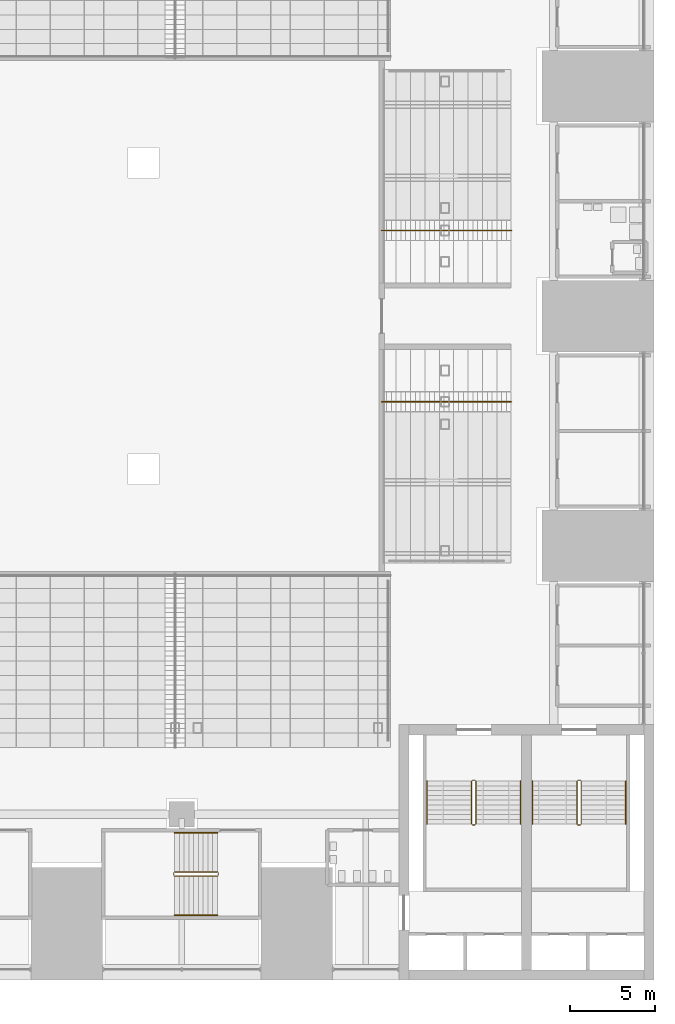
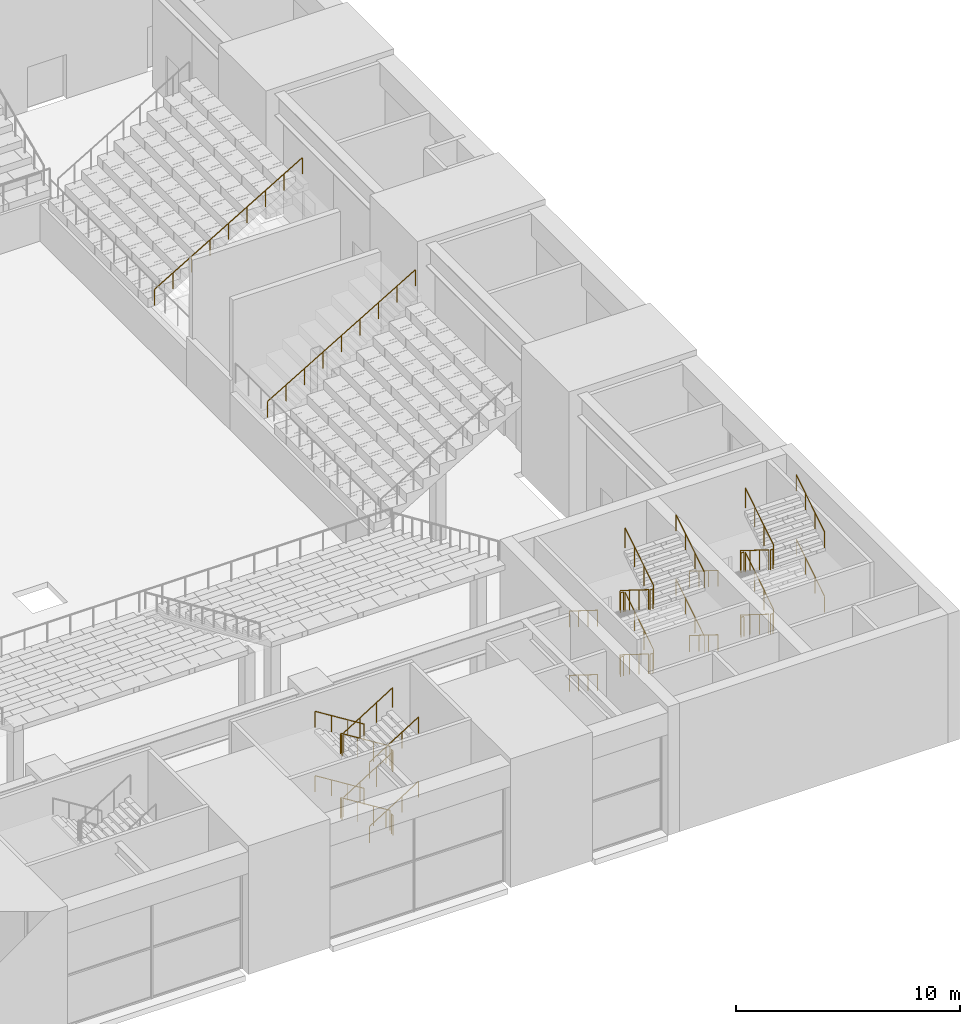
# One storey, part 58 of 62: 7 railings.
"""IFC4 building model written with IfcOpenShell, lengths in metres."""

from ifc_helpers import new_model, si_unit, direction, frame, origin, origin_2d, place, context, subcontext, project, spatial, circle, extrude, material, type_object, element, save


model = new_model("IFC4")

# Units and contexts
model_context = context("Model", 3, precision=1e-05, world=origin(), true_north=direction((0.0, 1.0)))
body_context = subcontext(model_context, "Body", "Model", "MODEL_VIEW")
ifc_project = project(units=[si_unit("LENGTHUNIT", "METRE"), si_unit("AREAUNIT", "SQUARE_METRE"), si_unit("VOLUMEUNIT", "CUBIC_METRE"), si_unit("PLANEANGLEUNIT", "RADIAN"), si_unit("MASSUNIT", "GRAM", prefix="KILO")], contexts=[model_context])

# Site, building, storey
site_placement = place(None, origin())
site = spatial("IfcSite", under=ifc_project, at=site_placement, CompositionType="ELEMENT")
building_placement = place(site_placement, origin())
building = spatial("IfcBuilding", under=site, at=building_placement, Name="Corbelhall Arena Tower", CompositionType="ELEMENT")
storey_placement = place(building_placement, frame((0.0, 0.0, 12.0)))
storey = spatial("IfcBuildingStorey", under=building, at=storey_placement, Name="L01", CompositionType="ELEMENT", Elevation=12.0)

# Railings
ifc_material = material(Name="Stainless steel A4", Category="steel")
railing_type_1 = type_object("IfcRailingType", Name="AR-HANDRAIL-AISLE", PredefinedType="HANDRAIL", material=ifc_material)
railing_1_placement = place(storey_placement, frame((32.0, -5.033203125, 2.5)))
element("IfcRailing", 1, at=railing_1_placement, inside=storey, type_object=railing_type_1, Name="Aisle handrails LE", PredefinedType="HANDRAIL", context=body_context, shape_type="SweptSolid", body=[
    extrude(circle(Radius=0.02392578125, at=origin_2d()), frame((0.0, 0.0, 0.8759765625), z_axis=(0.860621658551, 0.0, 0.50924489279), x_axis=(0.0, 1.0, 0.0)), (0.0, 0.0, 1.0), 8.836669921875),
    extrude(circle(Radius=0.02392578125, at=origin_2d()), frame((0.0, 10.06640625, 0.8759765625), z_axis=(0.860621658551, 0.0, 0.50924489279), x_axis=(0.0, 1.0, 0.0)), (0.0, 0.0, 1.0), 8.836669921875),
    extrude(circle(Radius=0.02099609375, at=origin_2d()), origin(), (0.0, 0.0, 1.0), 0.851806640625),
    extrude(circle(Radius=0.02099609375, at=origin_2d()), frame((0.95068359375, 0.0, 0.5625)), (0.0, 0.0, 1.0), 0.851806640625),
    extrude(circle(Radius=0.02099609375, at=origin_2d()), frame((1.9013671875, 0.0, 1.125)), (0.0, 0.0, 1.0), 0.851806640625),
    extrude(circle(Radius=0.02099609375, at=origin_2d()), frame((2.851806640625, 0.0, 1.6875)), (0.0, 0.0, 1.0), 0.851806640625),
    extrude(circle(Radius=0.02099609375, at=origin_2d()), frame((3.802490234375, 0.0, 2.25)), (0.0, 0.0, 1.0), 0.851806640625),
    extrude(circle(Radius=0.02099609375, at=origin_2d()), frame((4.753173828125, 0.0, 2.8125)), (0.0, 0.0, 1.0), 0.851806640625),
    extrude(circle(Radius=0.02099609375, at=origin_2d()), frame((5.70361328125, 0.0, 3.375)), (0.0, 0.0, 1.0), 0.851806640625),
    extrude(circle(Radius=0.02099609375, at=origin_2d()), frame((6.654296875, 0.0, 3.9375)), (0.0, 0.0, 1.0), 0.851806640625),
    extrude(circle(Radius=0.02099609375, at=origin_2d()), frame((7.60498046875, 0.0, 4.5)), (0.0, 0.0, 1.0), 0.851806640625),
    extrude(circle(Radius=0.02099609375, at=origin_2d()), frame((0.0, 10.06640625, 0.0)), (0.0, 0.0, 1.0), 0.851806640625),
    extrude(circle(Radius=0.02099609375, at=origin_2d()), frame((0.95068359375, 10.06640625, 0.5625)), (0.0, 0.0, 1.0), 0.851806640625),
    extrude(circle(Radius=0.02099609375, at=origin_2d()), frame((1.9013671875, 10.06640625, 1.125)), (0.0, 0.0, 1.0), 0.851806640625),
    extrude(circle(Radius=0.02099609375, at=origin_2d()), frame((2.851806640625, 10.06640625, 1.6875)), (0.0, 0.0, 1.0), 0.851806640625),
    extrude(circle(Radius=0.02099609375, at=origin_2d()), frame((3.802490234375, 10.06640625, 2.25)), (0.0, 0.0, 1.0), 0.851806640625),
    extrude(circle(Radius=0.02099609375, at=origin_2d()), frame((4.753173828125, 10.06640625, 2.8125)), (0.0, 0.0, 1.0), 0.851806640625),
    extrude(circle(Radius=0.02099609375, at=origin_2d()), frame((5.70361328125, 10.06640625, 3.375)), (0.0, 0.0, 1.0), 0.851806640625),
    extrude(circle(Radius=0.02099609375, at=origin_2d()), frame((6.654296875, 10.06640625, 3.9375)), (0.0, 0.0, 1.0), 0.851806640625),
    extrude(circle(Radius=0.02099609375, at=origin_2d()), frame((7.60498046875, 10.06640625, 4.5)), (0.0, 0.0, 1.0), 0.851806640625),
])
railing_type_2 = type_object("IfcRailingType", Name="AR-STAIR-GUARD", PredefinedType="GUARDRAIL", material=ifc_material)
railing_2_placement = place(storey_placement, frame((22.35009765625, -32.64990234375, 0.175048828125)))
element("IfcRailing", 2, at=railing_2_placement, inside=storey, type_object=railing_type_2, Name="L01 AS16 stair guards", PredefinedType="GUARDRAIL", context=body_context, shape_type="SweptSolid", body=[
    extrude(circle(Radius=0.02392578125, at=origin_2d()), frame((0.0, 0.0, 1.076171875), z_axis=(-0.848007534815, 0.0, 0.529984170421), x_axis=(0.0, -1.0, 0.0)), (0.0, 0.0, 1.0), 2.9716796875),
    extrude(circle(Radius=0.02392578125, at=origin_2d()), frame((-2.570068359375, -0.050048828125, 2.65087890625), z_axis=(0.0, -1.0, 0.0), x_axis=(1.0, 0.0, 0.0)), (0.0, 0.0, 1.0), 0.150146484375),
    extrude(circle(Radius=0.02392578125, at=origin_2d()), frame((-2.52001953125, -0.25, 2.826171875), z_axis=(0.848007534815, 0.0, 0.529984170421), x_axis=(0.0, 1.0, 0.0)), (0.0, 0.0, 1.0), 2.9716796875),
    extrude(circle(Radius=0.02392578125, at=origin_2d()), frame((0.0498046875, -0.050048828125, 4.40087890625), z_axis=(0.0, -1.0, 0.0), x_axis=(1.0, 0.0, 0.0)), (0.0, 0.0, 1.0), 0.150146484375),
    extrude(circle(Radius=0.02392578125, at=origin_2d()), frame((0.0, 0.0, 4.576171875), z_axis=(-0.848007534815, 0.0, 0.529984170421), x_axis=(0.0, -1.0, 0.0)), (0.0, 0.0, 1.0), 2.9716796875),
    extrude(circle(Radius=0.02392578125, at=origin_2d()), frame((-2.570068359375, -0.050048828125, 6.15087890625), z_axis=(0.0, -1.0, 0.0), x_axis=(1.0, 0.0, 0.0)), (0.0, 0.0, 1.0), 0.150146484375),
    extrude(circle(Radius=0.02392578125, at=origin_2d()), frame((-2.52001953125, -0.25, 6.326171875), z_axis=(0.848007534815, 0.0, 0.529984170421), x_axis=(0.0, 1.0, 0.0)), (0.0, 0.0, 1.0), 2.9716796875),
    extrude(circle(Radius=0.02392578125, at=origin_2d()), frame((0.0498046875, -0.050048828125, 0.90087890625), z_axis=(0.0, -1.0, 0.0), x_axis=(1.0, 0.0, 0.0)), (0.0, 0.0, 1.0), 0.150146484375),
    extrude(circle(Radius=0.02099609375, at=origin_2d()), origin(), (0.0, 0.0, 1.0), 1.052001953125),
    extrude(circle(Radius=0.02099609375, at=origin_2d()), frame((-0.840087890625, 0.0, 0.52490234375)), (0.0, 0.0, 1.0), 1.052001953125),
    extrude(circle(Radius=0.02099609375, at=origin_2d()), frame((-1.679931640625, 0.0, 1.050048828125)), (0.0, 0.0, 1.0), 1.052001953125),
    extrude(circle(Radius=0.02099609375, at=origin_2d()), frame((-2.52001953125, 0.0, 1.574951171875)), (0.0, 0.0, 1.0), 1.052001953125),
    extrude(circle(Radius=0.02099609375, at=origin_2d()), frame((-2.570068359375, -0.050048828125, 1.574951171875)), (0.0, 0.0, 1.0), 1.052001953125),
    extrude(circle(Radius=0.02099609375, at=origin_2d()), frame((-2.570068359375, -0.2001953125, 1.574951171875)), (0.0, 0.0, 1.0), 1.052001953125),
    extrude(circle(Radius=0.02099609375, at=origin_2d()), frame((-2.52001953125, -0.25, 1.75)), (0.0, 0.0, 1.0), 1.052001953125),
    extrude(circle(Radius=0.02099609375, at=origin_2d()), frame((-1.679931640625, -0.25, 2.27490234375)), (0.0, 0.0, 1.0), 1.052001953125),
    extrude(circle(Radius=0.02099609375, at=origin_2d()), frame((-0.840087890625, -0.25, 2.800048828125)), (0.0, 0.0, 1.0), 1.052001953125),
    extrude(circle(Radius=0.02099609375, at=origin_2d()), frame((0.0, -0.25, 3.324951171875)), (0.0, 0.0, 1.0), 1.052001953125),
    extrude(circle(Radius=0.02099609375, at=origin_2d()), frame((0.0498046875, -0.050048828125, 3.324951171875)), (0.0, 0.0, 1.0), 1.052001953125),
    extrude(circle(Radius=0.02099609375, at=origin_2d()), frame((0.0498046875, -0.2001953125, 3.324951171875)), (0.0, 0.0, 1.0), 1.052001953125),
    extrude(circle(Radius=0.02099609375, at=origin_2d()), frame((0.0, 0.0, 3.5)), (0.0, 0.0, 1.0), 1.052001953125),
    extrude(circle(Radius=0.02099609375, at=origin_2d()), frame((-0.840087890625, 0.0, 4.02490234375)), (0.0, 0.0, 1.0), 1.052001953125),
    extrude(circle(Radius=0.02099609375, at=origin_2d()), frame((-1.679931640625, 0.0, 4.550048828125)), (0.0, 0.0, 1.0), 1.052001953125),
    extrude(circle(Radius=0.02099609375, at=origin_2d()), frame((-2.52001953125, 0.0, 5.074951171875)), (0.0, 0.0, 1.0), 1.052001953125),
    extrude(circle(Radius=0.02099609375, at=origin_2d()), frame((-2.570068359375, -0.050048828125, 5.074951171875)), (0.0, 0.0, 1.0), 1.052001953125),
    extrude(circle(Radius=0.02099609375, at=origin_2d()), frame((-2.570068359375, -0.2001953125, 5.074951171875)), (0.0, 0.0, 1.0), 1.052001953125),
    extrude(circle(Radius=0.02099609375, at=origin_2d()), frame((-2.52001953125, -0.25, 5.25)), (0.0, 0.0, 1.0), 1.052001953125),
    extrude(circle(Radius=0.02099609375, at=origin_2d()), frame((-1.679931640625, -0.25, 5.77490234375)), (0.0, 0.0, 1.0), 1.052001953125),
    extrude(circle(Radius=0.02099609375, at=origin_2d()), frame((-0.840087890625, -0.25, 6.300048828125)), (0.0, 0.0, 1.0), 1.052001953125),
    extrude(circle(Radius=0.02099609375, at=origin_2d()), frame((0.0, -0.25, 6.824951171875)), (0.0, 0.0, 1.0), 1.052001953125),
    extrude(circle(Radius=0.02099609375, at=origin_2d()), frame((0.0498046875, -0.050048828125, -0.175048828125)), (0.0, 0.0, 1.0), 1.052001953125),
    extrude(circle(Radius=0.02099609375, at=origin_2d()), frame((0.0498046875, -0.2001953125, -0.175048828125)), (0.0, 0.0, 1.0), 1.052001953125),
])
railing_3_placement = place(storey_placement, frame((37.280029296875, -27.320068359375, 0.175048828125)))
element("IfcRailing", 3, at=railing_3_placement, inside=storey, type_object=railing_type_2, Name="L01 AS5 stair guards", PredefinedType="GUARDRAIL", context=body_context, shape_type="SweptSolid", body=[
    extrude(circle(Radius=0.02392578125, at=origin_2d()), frame((0.0, 0.0, 1.076171875), z_axis=(0.0, -0.848007534815, 0.529984170421), x_axis=(1.0, 0.0, 0.0)), (0.0, 0.0, 1.0), 2.9716796875),
    extrude(circle(Radius=0.02392578125, at=origin_2d()), frame((0.050048828125, -2.56982421875, 2.65087890625), z_axis=(1.0, 0.0, 0.0), x_axis=(0.0, 1.0, 0.0)), (0.0, 0.0, 1.0), 0.14990234375),
    extrude(circle(Radius=0.02392578125, at=origin_2d()), frame((0.25, -2.52001953125, 2.826171875), z_axis=(0.0, 0.848007534815, 0.529984170421), x_axis=(-1.0, 0.0, 0.0)), (0.0, 0.0, 1.0), 2.9716796875),
    extrude(circle(Radius=0.02392578125, at=origin_2d()), frame((0.050048828125, 0.050048828125, 4.40087890625), z_axis=(1.0, 0.0, 0.0), x_axis=(0.0, 1.0, 0.0)), (0.0, 0.0, 1.0), 0.14990234375),
    extrude(circle(Radius=0.02392578125, at=origin_2d()), frame((0.0, 0.0, 4.576171875), z_axis=(0.0, -0.848007534815, 0.529984170421), x_axis=(1.0, 0.0, 0.0)), (0.0, 0.0, 1.0), 2.9716796875),
    extrude(circle(Radius=0.02392578125, at=origin_2d()), frame((0.050048828125, -2.56982421875, 6.15087890625), z_axis=(1.0, 0.0, 0.0), x_axis=(0.0, 1.0, 0.0)), (0.0, 0.0, 1.0), 0.14990234375),
    extrude(circle(Radius=0.02392578125, at=origin_2d()), frame((0.25, -2.52001953125, 6.326171875), z_axis=(0.0, 0.848007534815, 0.529984170421), x_axis=(-1.0, 0.0, 0.0)), (0.0, 0.0, 1.0), 2.9716796875),
    extrude(circle(Radius=0.02392578125, at=origin_2d()), frame((0.050048828125, 0.050048828125, 0.90087890625), z_axis=(1.0, 0.0, 0.0), x_axis=(0.0, 1.0, 0.0)), (0.0, 0.0, 1.0), 0.14990234375),
    extrude(circle(Radius=0.02099609375, at=origin_2d()), origin(), (0.0, 0.0, 1.0), 1.052001953125),
    extrude(circle(Radius=0.02099609375, at=origin_2d()), frame((0.0, -0.840087890625, 0.52490234375)), (0.0, 0.0, 1.0), 1.052001953125),
    extrude(circle(Radius=0.02099609375, at=origin_2d()), frame((0.0, -1.679931640625, 1.050048828125)), (0.0, 0.0, 1.0), 1.052001953125),
    extrude(circle(Radius=0.02099609375, at=origin_2d()), frame((0.0, -2.52001953125, 1.574951171875)), (0.0, 0.0, 1.0), 1.052001953125),
    extrude(circle(Radius=0.02099609375, at=origin_2d()), frame((0.050048828125, -2.56982421875, 1.574951171875)), (0.0, 0.0, 1.0), 1.052001953125),
    extrude(circle(Radius=0.02099609375, at=origin_2d()), frame((0.199951171875, -2.56982421875, 1.574951171875)), (0.0, 0.0, 1.0), 1.052001953125),
    extrude(circle(Radius=0.02099609375, at=origin_2d()), frame((0.25, -2.52001953125, 1.75)), (0.0, 0.0, 1.0), 1.052001953125),
    extrude(circle(Radius=0.02099609375, at=origin_2d()), frame((0.25, -1.679931640625, 2.27490234375)), (0.0, 0.0, 1.0), 1.052001953125),
    extrude(circle(Radius=0.02099609375, at=origin_2d()), frame((0.25, -0.840087890625, 2.800048828125)), (0.0, 0.0, 1.0), 1.052001953125),
    extrude(circle(Radius=0.02099609375, at=origin_2d()), frame((0.25, 0.0, 3.324951171875)), (0.0, 0.0, 1.0), 1.052001953125),
    extrude(circle(Radius=0.02099609375, at=origin_2d()), frame((0.050048828125, 0.050048828125, 3.324951171875)), (0.0, 0.0, 1.0), 1.052001953125),
    extrude(circle(Radius=0.02099609375, at=origin_2d()), frame((0.199951171875, 0.050048828125, 3.324951171875)), (0.0, 0.0, 1.0), 1.052001953125),
    extrude(circle(Radius=0.02099609375, at=origin_2d()), frame((0.0, 0.0, 3.5)), (0.0, 0.0, 1.0), 1.052001953125),
    extrude(circle(Radius=0.02099609375, at=origin_2d()), frame((0.0, -0.840087890625, 4.02490234375)), (0.0, 0.0, 1.0), 1.052001953125),
    extrude(circle(Radius=0.02099609375, at=origin_2d()), frame((0.0, -1.679931640625, 4.550048828125)), (0.0, 0.0, 1.0), 1.052001953125),
    extrude(circle(Radius=0.02099609375, at=origin_2d()), frame((0.0, -2.52001953125, 5.074951171875)), (0.0, 0.0, 1.0), 1.052001953125),
    extrude(circle(Radius=0.02099609375, at=origin_2d()), frame((0.050048828125, -2.56982421875, 5.074951171875)), (0.0, 0.0, 1.0), 1.052001953125),
    extrude(circle(Radius=0.02099609375, at=origin_2d()), frame((0.199951171875, -2.56982421875, 5.074951171875)), (0.0, 0.0, 1.0), 1.052001953125),
    extrude(circle(Radius=0.02099609375, at=origin_2d()), frame((0.25, -2.52001953125, 5.25)), (0.0, 0.0, 1.0), 1.052001953125),
    extrude(circle(Radius=0.02099609375, at=origin_2d()), frame((0.25, -1.679931640625, 5.77490234375)), (0.0, 0.0, 1.0), 1.052001953125),
    extrude(circle(Radius=0.02099609375, at=origin_2d()), frame((0.25, -0.840087890625, 6.300048828125)), (0.0, 0.0, 1.0), 1.052001953125),
    extrude(circle(Radius=0.02099609375, at=origin_2d()), frame((0.25, 0.0, 6.824951171875)), (0.0, 0.0, 1.0), 1.052001953125),
    extrude(circle(Radius=0.02099609375, at=origin_2d()), frame((0.050048828125, 0.050048828125, -0.175048828125)), (0.0, 0.0, 1.0), 1.052001953125),
    extrude(circle(Radius=0.02099609375, at=origin_2d()), frame((0.199951171875, 0.050048828125, -0.175048828125)), (0.0, 0.0, 1.0), 1.052001953125),
])
railing_4_placement = place(storey_placement, frame((43.469970703125, -27.320068359375, 0.175048828125)))
element("IfcRailing", 4, at=railing_4_placement, inside=storey, type_object=railing_type_2, Name="L01 AS6 stair guards", PredefinedType="GUARDRAIL", context=body_context, shape_type="SweptSolid", body=[
    extrude(circle(Radius=0.02392578125, at=origin_2d()), frame((0.0, 0.0, 1.076171875), z_axis=(0.0, -0.848007534815, 0.529984170421), x_axis=(1.0, 0.0, 0.0)), (0.0, 0.0, 1.0), 2.9716796875),
    extrude(circle(Radius=0.02392578125, at=origin_2d()), frame((0.050048828125, -2.56982421875, 2.65087890625), z_axis=(1.0, 0.0, 0.0), x_axis=(0.0, 1.0, 0.0)), (0.0, 0.0, 1.0), 0.14990234375),
    extrude(circle(Radius=0.02392578125, at=origin_2d()), frame((0.25, -2.52001953125, 2.826171875), z_axis=(0.0, 0.848007534815, 0.529984170421), x_axis=(-1.0, 0.0, 0.0)), (0.0, 0.0, 1.0), 2.9716796875),
    extrude(circle(Radius=0.02392578125, at=origin_2d()), frame((0.050048828125, 0.050048828125, 4.40087890625), z_axis=(1.0, 0.0, 0.0), x_axis=(0.0, 1.0, 0.0)), (0.0, 0.0, 1.0), 0.14990234375),
    extrude(circle(Radius=0.02392578125, at=origin_2d()), frame((0.0, 0.0, 4.576171875), z_axis=(0.0, -0.848007534815, 0.529984170421), x_axis=(1.0, 0.0, 0.0)), (0.0, 0.0, 1.0), 2.9716796875),
    extrude(circle(Radius=0.02392578125, at=origin_2d()), frame((0.050048828125, -2.56982421875, 6.15087890625), z_axis=(1.0, 0.0, 0.0), x_axis=(0.0, 1.0, 0.0)), (0.0, 0.0, 1.0), 0.14990234375),
    extrude(circle(Radius=0.02392578125, at=origin_2d()), frame((0.25, -2.52001953125, 6.326171875), z_axis=(0.0, 0.848007534815, 0.529984170421), x_axis=(-1.0, 0.0, 0.0)), (0.0, 0.0, 1.0), 2.9716796875),
    extrude(circle(Radius=0.02392578125, at=origin_2d()), frame((0.050048828125, 0.050048828125, 0.90087890625), z_axis=(1.0, 0.0, 0.0), x_axis=(0.0, 1.0, 0.0)), (0.0, 0.0, 1.0), 0.14990234375),
    extrude(circle(Radius=0.02099609375, at=origin_2d()), origin(), (0.0, 0.0, 1.0), 1.052001953125),
    extrude(circle(Radius=0.02099609375, at=origin_2d()), frame((0.0, -0.840087890625, 0.52490234375)), (0.0, 0.0, 1.0), 1.052001953125),
    extrude(circle(Radius=0.02099609375, at=origin_2d()), frame((0.0, -1.679931640625, 1.050048828125)), (0.0, 0.0, 1.0), 1.052001953125),
    extrude(circle(Radius=0.02099609375, at=origin_2d()), frame((0.0, -2.52001953125, 1.574951171875)), (0.0, 0.0, 1.0), 1.052001953125),
    extrude(circle(Radius=0.02099609375, at=origin_2d()), frame((0.050048828125, -2.56982421875, 1.574951171875)), (0.0, 0.0, 1.0), 1.052001953125),
    extrude(circle(Radius=0.02099609375, at=origin_2d()), frame((0.199951171875, -2.56982421875, 1.574951171875)), (0.0, 0.0, 1.0), 1.052001953125),
    extrude(circle(Radius=0.02099609375, at=origin_2d()), frame((0.25, -2.52001953125, 1.75)), (0.0, 0.0, 1.0), 1.052001953125),
    extrude(circle(Radius=0.02099609375, at=origin_2d()), frame((0.25, -1.679931640625, 2.27490234375)), (0.0, 0.0, 1.0), 1.052001953125),
    extrude(circle(Radius=0.02099609375, at=origin_2d()), frame((0.25, -0.840087890625, 2.800048828125)), (0.0, 0.0, 1.0), 1.052001953125),
    extrude(circle(Radius=0.02099609375, at=origin_2d()), frame((0.25, 0.0, 3.324951171875)), (0.0, 0.0, 1.0), 1.052001953125),
    extrude(circle(Radius=0.02099609375, at=origin_2d()), frame((0.050048828125, 0.050048828125, 3.324951171875)), (0.0, 0.0, 1.0), 1.052001953125),
    extrude(circle(Radius=0.02099609375, at=origin_2d()), frame((0.199951171875, 0.050048828125, 3.324951171875)), (0.0, 0.0, 1.0), 1.052001953125),
    extrude(circle(Radius=0.02099609375, at=origin_2d()), frame((0.0, 0.0, 3.5)), (0.0, 0.0, 1.0), 1.052001953125),
    extrude(circle(Radius=0.02099609375, at=origin_2d()), frame((0.0, -0.840087890625, 4.02490234375)), (0.0, 0.0, 1.0), 1.052001953125),
    extrude(circle(Radius=0.02099609375, at=origin_2d()), frame((0.0, -1.679931640625, 4.550048828125)), (0.0, 0.0, 1.0), 1.052001953125),
    extrude(circle(Radius=0.02099609375, at=origin_2d()), frame((0.0, -2.52001953125, 5.074951171875)), (0.0, 0.0, 1.0), 1.052001953125),
    extrude(circle(Radius=0.02099609375, at=origin_2d()), frame((0.050048828125, -2.56982421875, 5.074951171875)), (0.0, 0.0, 1.0), 1.052001953125),
    extrude(circle(Radius=0.02099609375, at=origin_2d()), frame((0.199951171875, -2.56982421875, 5.074951171875)), (0.0, 0.0, 1.0), 1.052001953125),
    extrude(circle(Radius=0.02099609375, at=origin_2d()), frame((0.25, -2.52001953125, 5.25)), (0.0, 0.0, 1.0), 1.052001953125),
    extrude(circle(Radius=0.02099609375, at=origin_2d()), frame((0.25, -1.679931640625, 5.77490234375)), (0.0, 0.0, 1.0), 1.052001953125),
    extrude(circle(Radius=0.02099609375, at=origin_2d()), frame((0.25, -0.840087890625, 6.300048828125)), (0.0, 0.0, 1.0), 1.052001953125),
    extrude(circle(Radius=0.02099609375, at=origin_2d()), frame((0.25, 0.0, 6.824951171875)), (0.0, 0.0, 1.0), 1.052001953125),
    extrude(circle(Radius=0.02099609375, at=origin_2d()), frame((0.050048828125, 0.050048828125, -0.175048828125)), (0.0, 0.0, 1.0), 1.052001953125),
    extrude(circle(Radius=0.02099609375, at=origin_2d()), frame((0.199951171875, 0.050048828125, -0.175048828125)), (0.0, 0.0, 1.0), 1.052001953125),
])
railing_type_3 = type_object("IfcRailingType", Name="AR-STAIR-HANDRAIL", PredefinedType="HANDRAIL", material=ifc_material)
railing_5_placement = place(storey_placement, frame((22.35009765625, -30.35009765625, 0.175048828125)))
element("IfcRailing", 5, at=railing_5_placement, inside=storey, type_object=railing_type_3, Name="L01 AS16 stair handrails", PredefinedType="HANDRAIL", context=body_context, shape_type="SweptSolid", body=[
    extrude(circle(Radius=0.02392578125, at=origin_2d()), frame((0.0, 0.0, 0.8759765625), z_axis=(-0.848007534815, 0.0, 0.529984170421), x_axis=(0.0, -1.0, 0.0)), (0.0, 0.0, 1.0), 2.9716796875),
    extrude(circle(Radius=0.02392578125, at=origin_2d()), frame((-2.52001953125, -4.849853515625, 2.6259765625), z_axis=(0.848007534815, 0.0, 0.529984170421), x_axis=(0.0, 1.0, 0.0)), (0.0, 0.0, 1.0), 2.9716796875),
    extrude(circle(Radius=0.02392578125, at=origin_2d()), frame((0.0, 0.0, 4.3759765625), z_axis=(-0.848007534815, 0.0, 0.529984170421), x_axis=(0.0, -1.0, 0.0)), (0.0, 0.0, 1.0), 2.9716796875),
    extrude(circle(Radius=0.02392578125, at=origin_2d()), frame((-2.52001953125, -4.849853515625, 6.1259765625), z_axis=(0.848007534815, 0.0, 0.529984170421), x_axis=(0.0, 1.0, 0.0)), (0.0, 0.0, 1.0), 2.9716796875),
    extrude(circle(Radius=0.02099609375, at=origin_2d()), origin(), (0.0, 0.0, 1.0), 0.851806640625),
    extrude(circle(Radius=0.02099609375, at=origin_2d()), frame((-0.840087890625, 0.0, 0.52490234375)), (0.0, 0.0, 1.0), 0.851806640625),
    extrude(circle(Radius=0.02099609375, at=origin_2d()), frame((-1.679931640625, 0.0, 1.050048828125)), (0.0, 0.0, 1.0), 0.851806640625),
    extrude(circle(Radius=0.02099609375, at=origin_2d()), frame((-2.52001953125, 0.0, 1.574951171875)), (0.0, 0.0, 1.0), 0.851806640625),
    extrude(circle(Radius=0.02099609375, at=origin_2d()), frame((-2.52001953125, -4.849853515625, 1.75)), (0.0, 0.0, 1.0), 0.851806640625),
    extrude(circle(Radius=0.02099609375, at=origin_2d()), frame((-1.679931640625, -4.849853515625, 2.27490234375)), (0.0, 0.0, 1.0), 0.851806640625),
    extrude(circle(Radius=0.02099609375, at=origin_2d()), frame((-0.840087890625, -4.849853515625, 2.800048828125)), (0.0, 0.0, 1.0), 0.851806640625),
    extrude(circle(Radius=0.02099609375, at=origin_2d()), frame((0.0, -4.849853515625, 3.324951171875)), (0.0, 0.0, 1.0), 0.851806640625),
    extrude(circle(Radius=0.02099609375, at=origin_2d()), frame((0.0, 0.0, 3.5)), (0.0, 0.0, 1.0), 0.851806640625),
    extrude(circle(Radius=0.02099609375, at=origin_2d()), frame((-0.840087890625, 0.0, 4.02490234375)), (0.0, 0.0, 1.0), 0.851806640625),
    extrude(circle(Radius=0.02099609375, at=origin_2d()), frame((-1.679931640625, 0.0, 4.550048828125)), (0.0, 0.0, 1.0), 0.851806640625),
    extrude(circle(Radius=0.02099609375, at=origin_2d()), frame((-2.52001953125, 0.0, 5.074951171875)), (0.0, 0.0, 1.0), 0.851806640625),
    extrude(circle(Radius=0.02099609375, at=origin_2d()), frame((-2.52001953125, -4.849853515625, 5.25)), (0.0, 0.0, 1.0), 0.851806640625),
    extrude(circle(Radius=0.02099609375, at=origin_2d()), frame((-1.679931640625, -4.849853515625, 5.77490234375)), (0.0, 0.0, 1.0), 0.851806640625),
    extrude(circle(Radius=0.02099609375, at=origin_2d()), frame((-0.840087890625, -4.849853515625, 6.300048828125)), (0.0, 0.0, 1.0), 0.851806640625),
    extrude(circle(Radius=0.02099609375, at=origin_2d()), frame((0.0, -4.849853515625, 6.824951171875)), (0.0, 0.0, 1.0), 0.851806640625),
])
railing_6_placement = place(storey_placement, frame((34.659912109375, -27.320068359375, 0.175048828125)))
element("IfcRailing", 6, at=railing_6_placement, inside=storey, type_object=railing_type_3, Name="L01 AS5 stair handrails", PredefinedType="HANDRAIL", context=body_context, shape_type="SweptSolid", body=[
    extrude(circle(Radius=0.02392578125, at=origin_2d()), frame((0.0, 0.0, 0.8759765625), z_axis=(0.0, -0.848007534815, 0.529984170421), x_axis=(1.0, 0.0, 0.0)), (0.0, 0.0, 1.0), 2.9716796875),
    extrude(circle(Radius=0.02392578125, at=origin_2d()), frame((5.489990234375, -2.52001953125, 2.6259765625), z_axis=(0.0, 0.848007534815, 0.529984170421), x_axis=(-1.0, 0.0, 0.0)), (0.0, 0.0, 1.0), 2.9716796875),
    extrude(circle(Radius=0.02392578125, at=origin_2d()), frame((0.0, 0.0, 4.3759765625), z_axis=(0.0, -0.848007534815, 0.529984170421), x_axis=(1.0, 0.0, 0.0)), (0.0, 0.0, 1.0), 2.9716796875),
    extrude(circle(Radius=0.02392578125, at=origin_2d()), frame((5.489990234375, -2.52001953125, 6.1259765625), z_axis=(0.0, 0.848007534815, 0.529984170421), x_axis=(-1.0, 0.0, 0.0)), (0.0, 0.0, 1.0), 2.9716796875),
    extrude(circle(Radius=0.02099609375, at=origin_2d()), origin(), (0.0, 0.0, 1.0), 0.851806640625),
    extrude(circle(Radius=0.02099609375, at=origin_2d()), frame((0.0, -0.840087890625, 0.52490234375)), (0.0, 0.0, 1.0), 0.851806640625),
    extrude(circle(Radius=0.02099609375, at=origin_2d()), frame((0.0, -1.679931640625, 1.050048828125)), (0.0, 0.0, 1.0), 0.851806640625),
    extrude(circle(Radius=0.02099609375, at=origin_2d()), frame((0.0, -2.52001953125, 1.574951171875)), (0.0, 0.0, 1.0), 0.851806640625),
    extrude(circle(Radius=0.02099609375, at=origin_2d()), frame((5.489990234375, -2.52001953125, 1.75)), (0.0, 0.0, 1.0), 0.851806640625),
    extrude(circle(Radius=0.02099609375, at=origin_2d()), frame((5.489990234375, -1.679931640625, 2.27490234375)), (0.0, 0.0, 1.0), 0.851806640625),
    extrude(circle(Radius=0.02099609375, at=origin_2d()), frame((5.489990234375, -0.840087890625, 2.800048828125)), (0.0, 0.0, 1.0), 0.851806640625),
    extrude(circle(Radius=0.02099609375, at=origin_2d()), frame((5.489990234375, 0.0, 3.324951171875)), (0.0, 0.0, 1.0), 0.851806640625),
    extrude(circle(Radius=0.02099609375, at=origin_2d()), frame((0.0, 0.0, 3.5)), (0.0, 0.0, 1.0), 0.851806640625),
    extrude(circle(Radius=0.02099609375, at=origin_2d()), frame((0.0, -0.840087890625, 4.02490234375)), (0.0, 0.0, 1.0), 0.851806640625),
    extrude(circle(Radius=0.02099609375, at=origin_2d()), frame((0.0, -1.679931640625, 4.550048828125)), (0.0, 0.0, 1.0), 0.851806640625),
    extrude(circle(Radius=0.02099609375, at=origin_2d()), frame((0.0, -2.52001953125, 5.074951171875)), (0.0, 0.0, 1.0), 0.851806640625),
    extrude(circle(Radius=0.02099609375, at=origin_2d()), frame((5.489990234375, -2.52001953125, 5.25)), (0.0, 0.0, 1.0), 0.851806640625),
    extrude(circle(Radius=0.02099609375, at=origin_2d()), frame((5.489990234375, -1.679931640625, 5.77490234375)), (0.0, 0.0, 1.0), 0.851806640625),
    extrude(circle(Radius=0.02099609375, at=origin_2d()), frame((5.489990234375, -0.840087890625, 6.300048828125)), (0.0, 0.0, 1.0), 0.851806640625),
    extrude(circle(Radius=0.02099609375, at=origin_2d()), frame((5.489990234375, 0.0, 6.824951171875)), (0.0, 0.0, 1.0), 0.851806640625),
])
railing_7_placement = place(storey_placement, frame((40.85009765625, -27.320068359375, 0.175048828125)))
element("IfcRailing", 7, at=railing_7_placement, inside=storey, type_object=railing_type_3, Name="L01 AS6 stair handrails", PredefinedType="HANDRAIL", context=body_context, shape_type="SweptSolid", body=[
    extrude(circle(Radius=0.02392578125, at=origin_2d()), frame((0.0, 0.0, 0.8759765625), z_axis=(0.0, -0.848007534815, 0.529984170421), x_axis=(1.0, 0.0, 0.0)), (0.0, 0.0, 1.0), 2.9716796875),
    extrude(circle(Radius=0.02392578125, at=origin_2d()), frame((5.489990234375, -2.52001953125, 2.6259765625), z_axis=(0.0, 0.848007534815, 0.529984170421), x_axis=(-1.0, 0.0, 0.0)), (0.0, 0.0, 1.0), 2.9716796875),
    extrude(circle(Radius=0.02392578125, at=origin_2d()), frame((0.0, 0.0, 4.3759765625), z_axis=(0.0, -0.848007534815, 0.529984170421), x_axis=(1.0, 0.0, 0.0)), (0.0, 0.0, 1.0), 2.9716796875),
    extrude(circle(Radius=0.02392578125, at=origin_2d()), frame((5.489990234375, -2.52001953125, 6.1259765625), z_axis=(0.0, 0.848007534815, 0.529984170421), x_axis=(-1.0, 0.0, 0.0)), (0.0, 0.0, 1.0), 2.9716796875),
    extrude(circle(Radius=0.02099609375, at=origin_2d()), origin(), (0.0, 0.0, 1.0), 0.851806640625),
    extrude(circle(Radius=0.02099609375, at=origin_2d()), frame((0.0, -0.840087890625, 0.52490234375)), (0.0, 0.0, 1.0), 0.851806640625),
    extrude(circle(Radius=0.02099609375, at=origin_2d()), frame((0.0, -1.679931640625, 1.050048828125)), (0.0, 0.0, 1.0), 0.851806640625),
    extrude(circle(Radius=0.02099609375, at=origin_2d()), frame((0.0, -2.52001953125, 1.574951171875)), (0.0, 0.0, 1.0), 0.851806640625),
    extrude(circle(Radius=0.02099609375, at=origin_2d()), frame((5.489990234375, -2.52001953125, 1.75)), (0.0, 0.0, 1.0), 0.851806640625),
    extrude(circle(Radius=0.02099609375, at=origin_2d()), frame((5.489990234375, -1.679931640625, 2.27490234375)), (0.0, 0.0, 1.0), 0.851806640625),
    extrude(circle(Radius=0.02099609375, at=origin_2d()), frame((5.489990234375, -0.840087890625, 2.800048828125)), (0.0, 0.0, 1.0), 0.851806640625),
    extrude(circle(Radius=0.02099609375, at=origin_2d()), frame((5.489990234375, 0.0, 3.324951171875)), (0.0, 0.0, 1.0), 0.851806640625),
    extrude(circle(Radius=0.02099609375, at=origin_2d()), frame((0.0, 0.0, 3.5)), (0.0, 0.0, 1.0), 0.851806640625),
    extrude(circle(Radius=0.02099609375, at=origin_2d()), frame((0.0, -0.840087890625, 4.02490234375)), (0.0, 0.0, 1.0), 0.851806640625),
    extrude(circle(Radius=0.02099609375, at=origin_2d()), frame((0.0, -1.679931640625, 4.550048828125)), (0.0, 0.0, 1.0), 0.851806640625),
    extrude(circle(Radius=0.02099609375, at=origin_2d()), frame((0.0, -2.52001953125, 5.074951171875)), (0.0, 0.0, 1.0), 0.851806640625),
    extrude(circle(Radius=0.02099609375, at=origin_2d()), frame((5.489990234375, -2.52001953125, 5.25)), (0.0, 0.0, 1.0), 0.851806640625),
    extrude(circle(Radius=0.02099609375, at=origin_2d()), frame((5.489990234375, -1.679931640625, 5.77490234375)), (0.0, 0.0, 1.0), 0.851806640625),
    extrude(circle(Radius=0.02099609375, at=origin_2d()), frame((5.489990234375, -0.840087890625, 6.300048828125)), (0.0, 0.0, 1.0), 0.851806640625),
    extrude(circle(Radius=0.02099609375, at=origin_2d()), frame((5.489990234375, 0.0, 6.824951171875)), (0.0, 0.0, 1.0), 0.851806640625),
])

save(model, "model.ifc")
